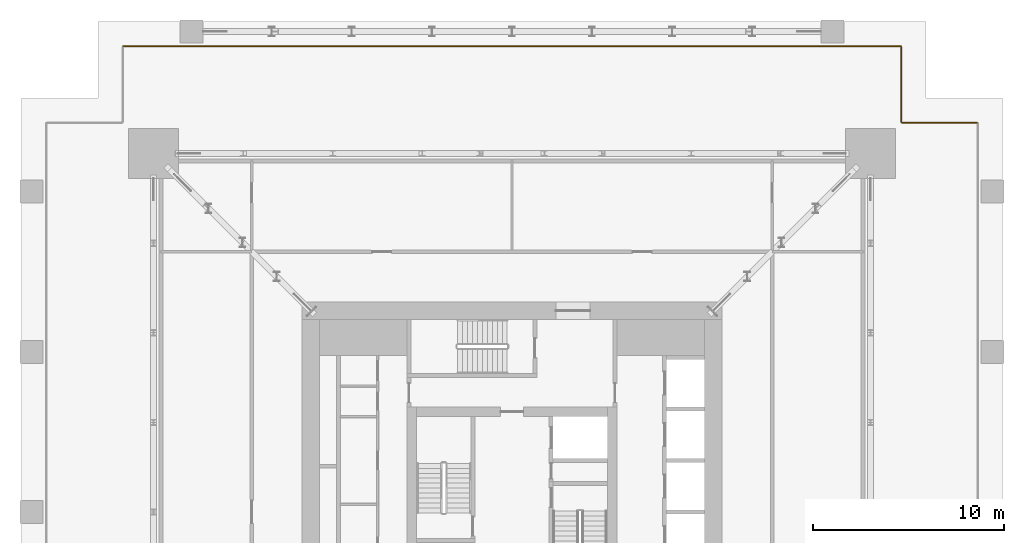
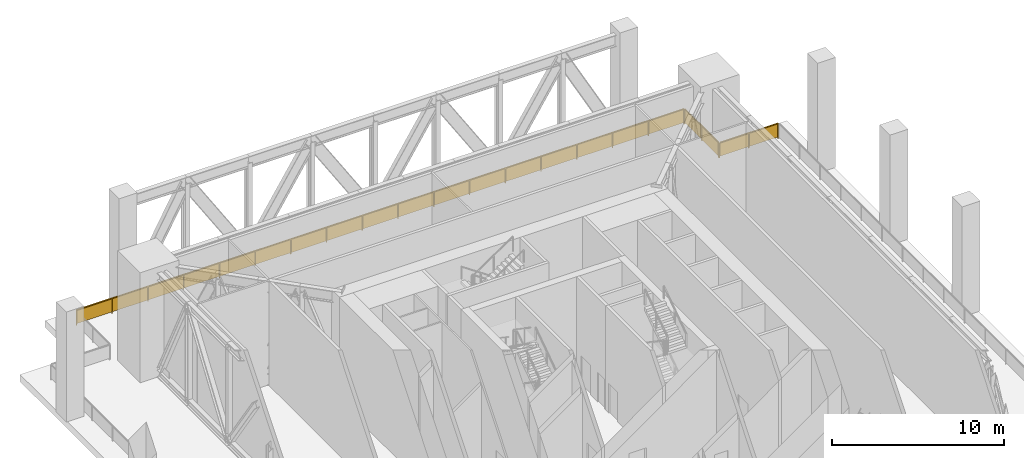
# One storey, part 17 of 17: 3 railings.
"""IFC4 building model written with IfcOpenShell, lengths in metres."""

from ifc_helpers import new_model, si_unit, direction, frame, origin, origin_2d, place, context, subcontext, project, spatial, rectangle, extrude, material, type_object, element, save


model = new_model("IFC4")

# Units and contexts
model_context = context("Model", 3, precision=1e-05, world=origin(), true_north=direction((0.0, 1.0)))
body_context = subcontext(model_context, "Body", "Model", "MODEL_VIEW")
ifc_project = project(units=[si_unit("LENGTHUNIT", "METRE"), si_unit("AREAUNIT", "SQUARE_METRE"), si_unit("VOLUMEUNIT", "CUBIC_METRE"), si_unit("PLANEANGLEUNIT", "RADIAN"), si_unit("MASSUNIT", "GRAM", prefix="KILO")], contexts=[model_context])

# Site, building, storey
site_placement = place(None, origin())
site = spatial("IfcSite", under=ifc_project, at=site_placement, CompositionType="ELEMENT")
building_placement = place(site_placement, origin())
building = spatial("IfcBuilding", under=site, at=building_placement, Name="Khepri Terraces", CompositionType="ELEMENT")
storey_placement = place(building_placement, frame((0.0, 0.0, 180.60009765625)))
storey = spatial("IfcBuildingStorey", under=building, at=storey_placement, Name="L43", CompositionType="ELEMENT", Elevation=180.60009765625)

# Railings
ifc_material = material(Name="Stainless steel grade 316", Category="steel")
railing_type = type_object("IfcRailingType", Name="GRD-BAL-1100", PredefinedType="GUARDRAIL", material=ifc_material)
railing_1_placement = place(storey_placement, frame((24.3798828125, 20.419921875, 0.0)))
element("IfcRailing", 1, at=railing_1_placement, inside=storey, type_object=railing_type, Name="Edge guard L43", PredefinedType="GUARDRAIL", context=body_context, shape_type="SweptSolid", body=[
    extrude(rectangle(XDim=0.050048828125, YDim=0.06005859375, at=origin_2d()), frame((0.0, 0.0, 1.070068359375), z_axis=(-1.0, 0.0, 0.0), x_axis=(0.0, -1.0, 0.0)), (0.0, 0.0, 1.0), 3.919921875),
    extrude(rectangle(XDim=1.909912109375, YDim=0.011962890625, at=origin_2d()), frame((-0.97998046875, 0.0, 0.10009765625), z_axis=(0.0, 0.0, 1.0), x_axis=(-1.0, 0.0, 0.0)), (0.0, 0.0, 1.0), 0.93994140625),
    extrude(rectangle(XDim=1.909912109375, YDim=0.011962890625, at=origin_2d()), frame((-2.93994140625, 0.0, 0.10009765625), z_axis=(0.0, 0.0, 1.0), x_axis=(-1.0, 0.0, 0.0)), (0.0, 0.0, 1.0), 0.93994140625),
    extrude(rectangle(XDim=0.050048828125, YDim=0.050048828125, at=origin_2d()), origin(), (0.0, 0.0, 1.0), 1.0400390625),
    extrude(rectangle(XDim=0.050048828125, YDim=0.050048828125, at=origin_2d()), frame((-1.9599609375, 0.0, 0.0)), (0.0, 0.0, 1.0), 1.0400390625),
    extrude(rectangle(XDim=0.050048828125, YDim=0.050048828125, at=origin_2d()), frame((-3.919921875, 0.0, 0.0)), (0.0, 0.0, 1.0), 1.0400390625),
])
railing_2_placement = place(storey_placement, frame((20.419921875, 20.4599609375, 0.0)))
element("IfcRailing", 2, at=railing_2_placement, inside=storey, type_object=railing_type, Name="Edge guard L43", PredefinedType="GUARDRAIL", context=body_context, shape_type="SweptSolid", body=[
    extrude(rectangle(XDim=0.050048828125, YDim=0.06005859375, at=origin_2d()), frame((0.0, 0.0, 1.070068359375), z_axis=(0.0, 1.0, 0.0), x_axis=(-1.0, 0.0, 0.0)), (0.0, 0.0, 1.0), 3.919921875),
    extrude(rectangle(XDim=1.909912109375, YDim=0.011962890625, at=origin_2d()), frame((0.0, 0.97998046875, 0.10009765625), z_axis=(0.0, 0.0, 1.0), x_axis=(0.0, 1.0, 0.0)), (0.0, 0.0, 1.0), 0.93994140625),
    extrude(rectangle(XDim=1.909912109375, YDim=0.011962890625, at=origin_2d()), frame((0.0, 2.93994140625, 0.10009765625), z_axis=(0.0, 0.0, 1.0), x_axis=(0.0, 1.0, 0.0)), (0.0, 0.0, 1.0), 0.93994140625),
    extrude(rectangle(XDim=0.050048828125, YDim=0.050048828125, at=origin_2d()), origin(), (0.0, 0.0, 1.0), 1.0400390625),
    extrude(rectangle(XDim=0.050048828125, YDim=0.050048828125, at=origin_2d()), frame((0.0, 1.9599609375, 0.0)), (0.0, 0.0, 1.0), 1.0400390625),
    extrude(rectangle(XDim=0.050048828125, YDim=0.050048828125, at=origin_2d()), frame((0.0, 3.919921875, 0.0)), (0.0, 0.0, 1.0), 1.0400390625),
])
railing_3_placement = place(storey_placement, frame((20.3798828125, 24.419921875, 0.0)))
element("IfcRailing", 3, at=railing_3_placement, inside=storey, type_object=railing_type, Name="Edge guard L43", PredefinedType="GUARDRAIL", context=body_context, shape_type="SweptSolid", body=[
    extrude(rectangle(XDim=0.050048828125, YDim=0.06005859375, at=origin_2d()), frame((0.0, 0.0, 1.070068359375), z_axis=(-1.0, 0.0, 0.0), x_axis=(0.0, -1.0, 0.0)), (0.0, 0.0, 1.0), 40.759765625),
    extrude(rectangle(XDim=2.34765625, YDim=0.011962890625, at=origin_2d()), frame((-1.19873046875, 0.0, 0.10009765625), z_axis=(0.0, 0.0, 1.0), x_axis=(-1.0, 0.0, 0.0)), (0.0, 0.0, 1.0), 0.93994140625),
    extrude(rectangle(XDim=2.34765625, YDim=0.011962890625, at=origin_2d()), frame((-3.596435546875, 0.0, 0.10009765625), z_axis=(0.0, 0.0, 1.0), x_axis=(-1.0, 0.0, 0.0)), (0.0, 0.0, 1.0), 0.93994140625),
    extrude(rectangle(XDim=2.34765625, YDim=0.011962890625, at=origin_2d()), frame((-5.994140625, 0.0, 0.10009765625), z_axis=(0.0, 0.0, 1.0), x_axis=(-1.0, 0.0, 0.0)), (0.0, 0.0, 1.0), 0.93994140625),
    extrude(rectangle(XDim=2.34765625, YDim=0.011962890625, at=origin_2d()), frame((-8.3916015625, 0.0, 0.10009765625), z_axis=(0.0, 0.0, 1.0), x_axis=(-1.0, 0.0, 0.0)), (0.0, 0.0, 1.0), 0.93994140625),
    extrude(rectangle(XDim=2.34765625, YDim=0.011962890625, at=origin_2d()), frame((-10.789306640625, 0.0, 0.10009765625), z_axis=(0.0, 0.0, 1.0), x_axis=(-1.0, 0.0, 0.0)), (0.0, 0.0, 1.0), 0.93994140625),
    extrude(rectangle(XDim=2.34765625, YDim=0.011962890625, at=origin_2d()), frame((-13.18701171875, 0.0, 0.10009765625), z_axis=(0.0, 0.0, 1.0), x_axis=(-1.0, 0.0, 0.0)), (0.0, 0.0, 1.0), 0.93994140625),
    extrude(rectangle(XDim=2.34765625, YDim=0.011962890625, at=origin_2d()), frame((-15.584716796875, 0.0, 0.10009765625), z_axis=(0.0, 0.0, 1.0), x_axis=(-1.0, 0.0, 0.0)), (0.0, 0.0, 1.0), 0.93994140625),
    extrude(rectangle(XDim=2.34765625, YDim=0.011962890625, at=origin_2d()), frame((-17.982177734375, 0.0, 0.10009765625), z_axis=(0.0, 0.0, 1.0), x_axis=(-1.0, 0.0, 0.0)), (0.0, 0.0, 1.0), 0.93994140625),
    extrude(rectangle(XDim=2.34765625, YDim=0.011962890625, at=origin_2d()), frame((-20.3798828125, 0.0, 0.10009765625), z_axis=(0.0, 0.0, 1.0), x_axis=(-1.0, 0.0, 0.0)), (0.0, 0.0, 1.0), 0.93994140625),
    extrude(rectangle(XDim=2.34765625, YDim=0.011962890625, at=origin_2d()), frame((-22.777587890625, 0.0, 0.10009765625), z_axis=(0.0, 0.0, 1.0), x_axis=(-1.0, 0.0, 0.0)), (0.0, 0.0, 1.0), 0.93994140625),
    extrude(rectangle(XDim=2.34765625, YDim=0.011962890625, at=origin_2d()), frame((-25.175048828125, 0.0, 0.10009765625), z_axis=(0.0, 0.0, 1.0), x_axis=(-1.0, 0.0, 0.0)), (0.0, 0.0, 1.0), 0.93994140625),
    extrude(rectangle(XDim=2.34765625, YDim=0.011962890625, at=origin_2d()), frame((-27.57275390625, 0.0, 0.10009765625), z_axis=(0.0, 0.0, 1.0), x_axis=(-1.0, 0.0, 0.0)), (0.0, 0.0, 1.0), 0.93994140625),
    extrude(rectangle(XDim=2.34765625, YDim=0.011962890625, at=origin_2d()), frame((-29.970458984375, 0.0, 0.10009765625), z_axis=(0.0, 0.0, 1.0), x_axis=(-1.0, 0.0, 0.0)), (0.0, 0.0, 1.0), 0.93994140625),
    extrude(rectangle(XDim=2.34765625, YDim=0.011962890625, at=origin_2d()), frame((-32.3681640625, 0.0, 0.10009765625), z_axis=(0.0, 0.0, 1.0), x_axis=(-1.0, 0.0, 0.0)), (0.0, 0.0, 1.0), 0.93994140625),
    extrude(rectangle(XDim=2.34765625, YDim=0.011962890625, at=origin_2d()), frame((-34.765625, 0.0, 0.10009765625), z_axis=(0.0, 0.0, 1.0), x_axis=(-1.0, 0.0, 0.0)), (0.0, 0.0, 1.0), 0.93994140625),
    extrude(rectangle(XDim=2.34765625, YDim=0.011962890625, at=origin_2d()), frame((-37.163330078125, 0.0, 0.10009765625), z_axis=(0.0, 0.0, 1.0), x_axis=(-1.0, 0.0, 0.0)), (0.0, 0.0, 1.0), 0.93994140625),
    extrude(rectangle(XDim=2.34765625, YDim=0.011962890625, at=origin_2d()), frame((-39.56103515625, 0.0, 0.10009765625), z_axis=(0.0, 0.0, 1.0), x_axis=(-1.0, 0.0, 0.0)), (0.0, 0.0, 1.0), 0.93994140625),
    extrude(rectangle(XDim=0.050048828125, YDim=0.050048828125, at=origin_2d()), origin(), (0.0, 0.0, 1.0), 1.0400390625),
    extrude(rectangle(XDim=0.050048828125, YDim=0.050048828125, at=origin_2d()), frame((-2.397705078125, 0.0, 0.0)), (0.0, 0.0, 1.0), 1.0400390625),
    extrude(rectangle(XDim=0.050048828125, YDim=0.050048828125, at=origin_2d()), frame((-4.795166015625, 0.0, 0.0)), (0.0, 0.0, 1.0), 1.0400390625),
    extrude(rectangle(XDim=0.050048828125, YDim=0.050048828125, at=origin_2d()), frame((-7.19287109375, 0.0, 0.0)), (0.0, 0.0, 1.0), 1.0400390625),
    extrude(rectangle(XDim=0.050048828125, YDim=0.050048828125, at=origin_2d()), frame((-9.590576171875, 0.0, 0.0)), (0.0, 0.0, 1.0), 1.0400390625),
    extrude(rectangle(XDim=0.050048828125, YDim=0.050048828125, at=origin_2d()), frame((-11.98828125, 0.0, 0.0)), (0.0, 0.0, 1.0), 1.0400390625),
    extrude(rectangle(XDim=0.050048828125, YDim=0.050048828125, at=origin_2d()), frame((-14.3857421875, 0.0, 0.0)), (0.0, 0.0, 1.0), 1.0400390625),
    extrude(rectangle(XDim=0.050048828125, YDim=0.050048828125, at=origin_2d()), frame((-16.783447265625, 0.0, 0.0)), (0.0, 0.0, 1.0), 1.0400390625),
    extrude(rectangle(XDim=0.050048828125, YDim=0.050048828125, at=origin_2d()), frame((-19.18115234375, 0.0, 0.0)), (0.0, 0.0, 1.0), 1.0400390625),
    extrude(rectangle(XDim=0.050048828125, YDim=0.050048828125, at=origin_2d()), frame((-21.57861328125, 0.0, 0.0)), (0.0, 0.0, 1.0), 1.0400390625),
    extrude(rectangle(XDim=0.050048828125, YDim=0.050048828125, at=origin_2d()), frame((-23.976318359375, 0.0, 0.0)), (0.0, 0.0, 1.0), 1.0400390625),
    extrude(rectangle(XDim=0.050048828125, YDim=0.050048828125, at=origin_2d()), frame((-26.3740234375, 0.0, 0.0)), (0.0, 0.0, 1.0), 1.0400390625),
    extrude(rectangle(XDim=0.050048828125, YDim=0.050048828125, at=origin_2d()), frame((-28.771484375, 0.0, 0.0)), (0.0, 0.0, 1.0), 1.0400390625),
    extrude(rectangle(XDim=0.050048828125, YDim=0.050048828125, at=origin_2d()), frame((-31.169189453125, 0.0, 0.0)), (0.0, 0.0, 1.0), 1.0400390625),
    extrude(rectangle(XDim=0.050048828125, YDim=0.050048828125, at=origin_2d()), frame((-33.56689453125, 0.0, 0.0)), (0.0, 0.0, 1.0), 1.0400390625),
    extrude(rectangle(XDim=0.050048828125, YDim=0.050048828125, at=origin_2d()), frame((-35.964599609375, 0.0, 0.0)), (0.0, 0.0, 1.0), 1.0400390625),
    extrude(rectangle(XDim=0.050048828125, YDim=0.050048828125, at=origin_2d()), frame((-38.362060546875, 0.0, 0.0)), (0.0, 0.0, 1.0), 1.0400390625),
    extrude(rectangle(XDim=0.050048828125, YDim=0.050048828125, at=origin_2d()), frame((-40.759765625, 0.0, 0.0)), (0.0, 0.0, 1.0), 1.0400390625),
])

save(model, "model.ifc")
